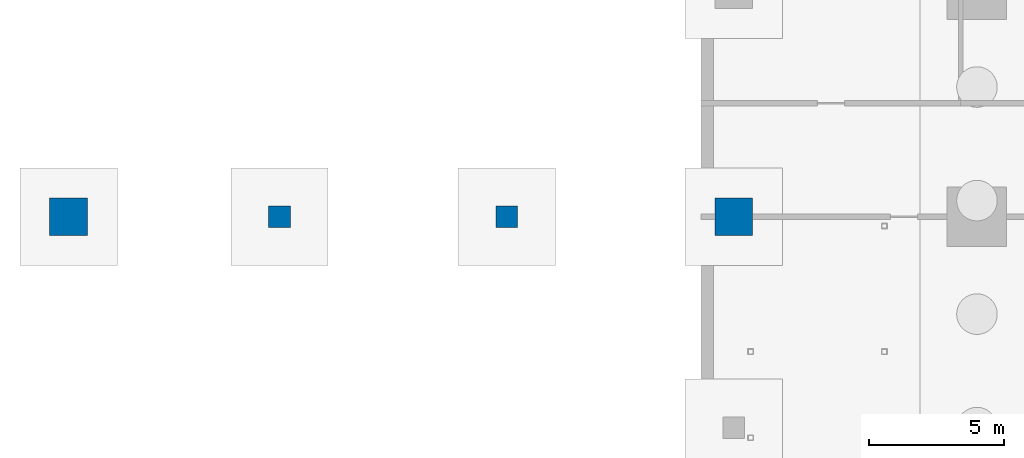
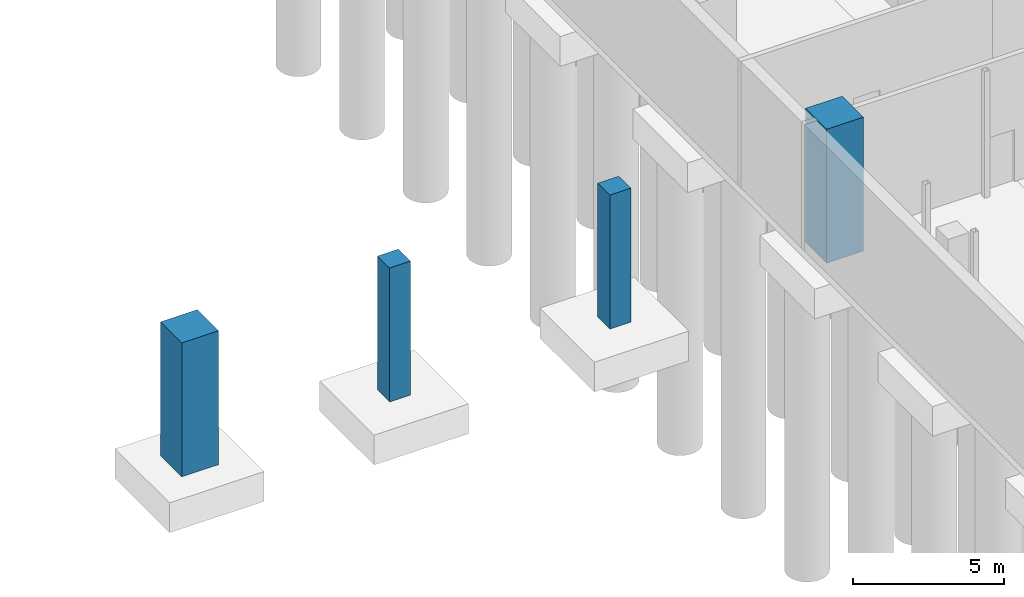
# One storey, part 3 of 18: 4 columns.
"""IFC4 building model written with IfcOpenShell, lengths in metres."""

from ifc_helpers import new_model, si_unit, direction, frame, origin, origin_2d, place, context, subcontext, project, spatial, rectangle, extrude, material, material_profile, profile_set, type_object, element, save


model = new_model("IFC4")

# Units and contexts
model_context = context("Model", 3, precision=1e-05, world=origin(), true_north=direction((0.0, 1.0)))
body_context = subcontext(model_context, "Body", "Model", "MODEL_VIEW")
ifc_project = project(units=[si_unit("LENGTHUNIT", "METRE"), si_unit("AREAUNIT", "SQUARE_METRE"), si_unit("VOLUMEUNIT", "CUBIC_METRE"), si_unit("PLANEANGLEUNIT", "RADIAN"), si_unit("MASSUNIT", "GRAM", prefix="KILO")], contexts=[model_context])

# Site, building, storey
site_placement = place(None, origin())
site = spatial("IfcSite", under=ifc_project, at=site_placement, CompositionType="ELEMENT")
building_placement = place(site_placement, origin())
building = spatial("IfcBuilding", under=site, at=building_placement, Name="Dunama Terrace Hotel", CompositionType="ELEMENT")
storey_placement = place(building_placement, frame((0.0, 0.0, -5.39990234375)))
storey = spatial("IfcBuildingStorey", under=building, at=storey_placement, Name="B1", CompositionType="ELEMENT", Elevation=-5.39990234375)

# Columns
ifc_material_1 = material(Name="Concrete C50/60", Category="concrete")
ifc_material_profile_1 = material_profile(ifc_material_1, rectangle(XDim=1.39990234375, YDim=1.39990234375, at=origin_2d()), Name="RC 1400x1400")
ifc_profile_set_1 = profile_set([ifc_material_profile_1], Name="Concrete C50/60")
column_type_1 = type_object("IfcColumnType", Name="Column RC 1400x1400", PredefinedType="COLUMN", material=ifc_profile_set_1)
for number, where, z_axis, x_axis, name in (
    (1, (-33.0, 8.39990234375, -0.300048828125), (0.0, 0.0, 1.0), (1.0, 0.0, 0.0), "Column B1 -33.0/+8.4"),
    (2, (-8.39990234375, 8.39990234375, -0.300048828125), (0.0, 0.0, 1.0), (1.0, 0.0, 0.0), "Column B1 -8.4/+8.4"),
):
    element("IfcColumn", number, at=place(storey_placement, frame(where, z_axis=z_axis, x_axis=x_axis)), inside=storey, type_object=column_type_1, Name=name, PredefinedType="COLUMN", context=body_context, shape_type="SweptSolid", body=[
        extrude(rectangle(XDim=1.39990234375, YDim=1.39990234375, at=origin_2d()), origin(), (0.0, 0.0, 1.0), 5.39990234375),
    ])
ifc_material_2 = material(Name="Concrete C40/50", Category="concrete")
ifc_material_profile_2 = material_profile(ifc_material_2, rectangle(XDim=0.800048828125, YDim=0.800048828125, at=origin_2d()), Name="RC 800x800")
ifc_profile_set_2 = profile_set([ifc_material_profile_2], Name="Concrete C40/50")
column_type_2 = type_object("IfcColumnType", Name="Column RC 800x800", PredefinedType="COLUMN", material=ifc_profile_set_2)
for number, where, z_axis, x_axis, name in (
    (3, (-25.199951171875, 8.39990234375, -0.300048828125), (0.0, 0.0, 1.0), (1.0, 0.0, 0.0), "Column B1 -25.2/+8.4"),
    (4, (-16.800048828125, 8.39990234375, -0.300048828125), (0.0, 0.0, 1.0), (1.0, 0.0, 0.0), "Column B1 -16.8/+8.4"),
):
    element("IfcColumn", number, at=place(storey_placement, frame(where, z_axis=z_axis, x_axis=x_axis)), inside=storey, type_object=column_type_2, Name=name, PredefinedType="COLUMN", context=body_context, shape_type="SweptSolid", body=[
        extrude(rectangle(XDim=0.800048828125, YDim=0.800048828125, at=origin_2d()), origin(), (0.0, 0.0, 1.0), 5.39990234375),
    ])

save(model, "model.ifc")
